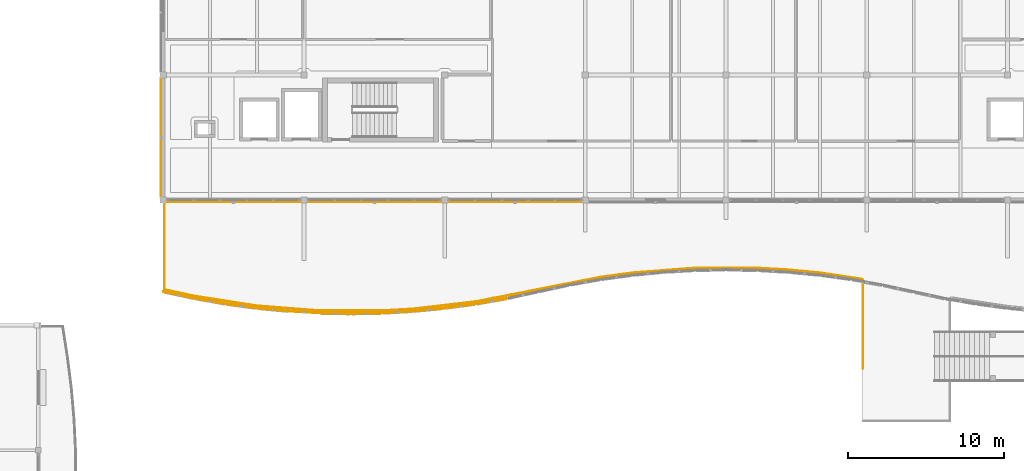
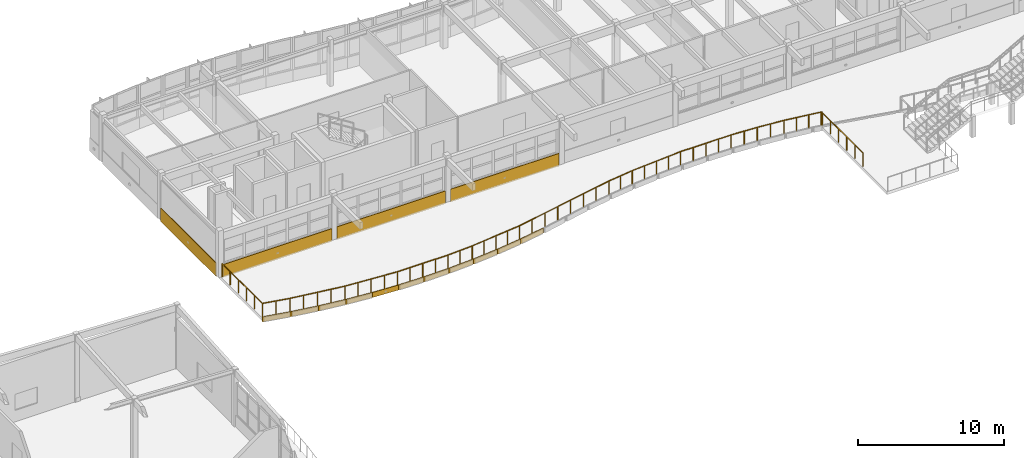
# One storey, part 44 of 52: 15 coverings, 1 railing.
"""IFC4 building model written with IfcOpenShell, lengths in metres."""

from ifc_helpers import new_model, si_unit, direction, frame, origin, origin_2d, place, context, subcontext, project, spatial, polyline, circle, outline, extrude, material, layer, layer_set, type_object, element, save


model = new_model("IFC4")

# Units and contexts
model_context = context("Model", 3, precision=1e-05, world=origin(), true_north=direction((0.0, 1.0)))
body_context = subcontext(model_context, "Body", "Model", "MODEL_VIEW")
ifc_project = project(units=[si_unit("LENGTHUNIT", "METRE"), si_unit("AREAUNIT", "SQUARE_METRE"), si_unit("VOLUMEUNIT", "CUBIC_METRE"), si_unit("PLANEANGLEUNIT", "RADIAN"), si_unit("MASSUNIT", "GRAM", prefix="KILO")], contexts=[model_context])

# Site, building, storey
site_placement = place(None, origin())
site = spatial("IfcSite", under=ifc_project, at=site_placement, CompositionType="ELEMENT")
building_placement = place(site_placement, origin())
building = spatial("IfcBuilding", under=site, at=building_placement, Name="Tonlespit Floodbar School", CompositionType="ELEMENT")
storey_placement = place(building_placement, frame((0.0, 0.0, 12.300048828125)))
storey = spatial("IfcBuildingStorey", under=building, at=storey_placement, Name="L03", CompositionType="ELEMENT", Elevation=12.300048828125)

# Railing
ifc_material_1 = material(Name="Galvanised Steel", Category="steel")
railing_type = type_object("IfcRailingType", Name="Balustrade_Ext_1150", PredefinedType="BALUSTRADE", material=ifc_material_1)
railing_placement = place(storey_placement, frame((88.76025390625, 93.239990234375, 0.0)))
element("IfcRailing", 1, at=railing_placement, inside=storey, type_object=railing_type, Name="L03 terrace balustrade 025", PredefinedType="BALUSTRADE", context=body_context, shape_type="SweptSolid", body=[
    extrude(circle(Radius=0.02392578125, at=origin_2d()), frame((0.0, 0.0, 1.1259765625), z_axis=(-4.3536941e-05, 0.999999999052, 0.0), x_axis=(-0.999999999052, -4.3536941e-05, 0.0)), (0.0, 0.0, 1.0), 5.607666015625),
    extrude(circle(Radius=0.02392578125, at=origin_2d()), frame((-0.000244140625, 5.607666015625, 1.1259765625), z_axis=(-0.432455380343, 0.901655335487, 0.0), x_axis=(-0.901655335487, -0.432455380343, 0.0)), (0.0, 0.0, 1.0), 0.08642578125),
    extrude(circle(Radius=0.02392578125, at=origin_2d()), frame((-0.03759765625, 5.685546875, 1.1259765625), z_axis=(-0.988771792785, 0.14943340253, 0.0), x_axis=(-0.14943340253, -0.988771792785, 0.0)), (0.0, 0.0, 1.0), 2.741455078125),
    extrude(circle(Radius=0.02392578125, at=origin_2d()), frame((-2.748291015625, 6.09521484375, 1.1259765625), z_axis=(-0.995353763305, 0.096285439579, 0.0), x_axis=(-0.096285439579, -0.995353763305, 0.0)), (0.0, 0.0, 1.0), 2.01318359375),
    extrude(circle(Radius=0.02392578125, at=origin_2d()), frame((-4.752197265625, 6.2890625, 1.1259765625), z_axis=(-0.998328079212, 0.057801784206, 0.0), x_axis=(-0.057801784206, -0.998328079212, 0.0)), (0.0, 0.0, 1.0), 2.00634765625),
    extrude(circle(Radius=0.02392578125, at=origin_2d()), frame((-6.755126953125, 6.405029296875, 1.1259765625), z_axis=(-1.0, 0.0, 0.0), x_axis=(0.0, -1.0, 0.0)), (0.0, 0.0, 1.0), 4.00439453125),
    extrude(circle(Radius=0.02392578125, at=origin_2d()), frame((-10.759521484375, 6.405029296875, 1.1259765625), z_axis=(-0.997037305385, -0.076919514236, 0.0), x_axis=(0.076919514236, -0.997037305385, 0.0)), (0.0, 0.0, 1.0), 4.018310546875),
    extrude(circle(Radius=0.02392578125, at=origin_2d()), frame((-14.765869140625, 6.095947265625, 1.1259765625), z_axis=(-0.990921736187, -0.134439996847, 0.0), x_axis=(0.134439996847, -0.990921736187, 0.0)), (0.0, 0.0, 1.0), 2.02294921875),
    extrude(circle(Radius=0.02392578125, at=origin_2d()), frame((-16.7705078125, 5.823974609375, 1.1259765625), z_axis=(-0.981305102365, -0.192458556766, 0.0), x_axis=(0.192458556766, -0.981305102365, 0.0)), (0.0, 0.0, 1.0), 8.154052734375),
    extrude(circle(Radius=0.02392578125, at=origin_2d()), frame((-24.772216796875, 4.254638671875, 1.1259765625), z_axis=(-0.993311267151, -0.115467426361, 0.0), x_axis=(0.115467426361, -0.993311267151, 0.0)), (0.0, 0.0, 1.0), 4.021484375),
    extrude(circle(Radius=0.02392578125, at=origin_2d()), frame((-28.766845703125, 3.790283203125, 1.1259765625), z_axis=(-0.99832952489, -0.05777680965, 0.0), x_axis=(0.05777680965, -0.99832952489, 0.0)), (0.0, 0.0, 1.0), 1.998779296875),
    extrude(circle(Radius=0.02392578125, at=origin_2d()), frame((-30.76220703125, 3.6748046875, 1.1259765625), z_axis=(-1.0, 0.0, 0.0), x_axis=(0.0, -1.0, 0.0)), (0.0, 0.0, 1.0), 3.99462890625),
    extrude(circle(Radius=0.02392578125, at=origin_2d()), frame((-34.7568359375, 3.6748046875, 1.1259765625), z_axis=(-0.997028256192, 0.077036720816, 0.0), x_axis=(-0.077036720816, -0.997028256192, 0.0)), (0.0, 0.0, 1.0), 4.005859375),
    extrude(circle(Radius=0.02392578125, at=origin_2d()), frame((-38.750732421875, 3.9833984375, 1.1259765625), z_axis=(-0.98808159042, 0.153931058182, 0.0), x_axis=(-0.153931058182, -0.98808159042, 0.0)), (0.0, 0.0, 1.0), 4.042724609375),
    extrude(circle(Radius=0.02392578125, at=origin_2d()), frame((-42.745361328125, 4.605712890625, 1.1259765625), z_axis=(-0.977365243724, 0.211558928813, 0.0), x_axis=(-0.211558928813, -0.977365243724, 0.0)), (0.0, 0.0, 1.0), 1.97900390625),
    extrude(circle(Radius=0.02392578125, at=origin_2d()), frame((-44.6796875, 5.0244140625, 1.1259765625), z_axis=(-4.4349831e-05, 0.999999999017, 0.0), x_axis=(-0.999999999017, -4.4349831e-05, 0.0)), (0.0, 0.0, 1.0), 5.5048828125),
    extrude(circle(Radius=0.02099609375, at=origin_2d()), origin(), (0.0, 0.0, 1.0), 1.101806640625),
    extrude(circle(Radius=0.02099609375, at=origin_2d()), frame((0.0, 1.12158203125, 0.0)), (0.0, 0.0, 1.0), 1.101806640625),
    extrude(circle(Radius=0.02099609375, at=origin_2d()), frame((0.0, 2.2431640625, 0.0)), (0.0, 0.0, 1.0), 1.101806640625),
    extrude(circle(Radius=0.02099609375, at=origin_2d()), frame((-0.000244140625, 3.364501953125, 0.0)), (0.0, 0.0, 1.0), 1.101806640625),
    extrude(circle(Radius=0.02099609375, at=origin_2d()), frame((-0.000244140625, 4.486083984375, 0.0)), (0.0, 0.0, 1.0), 1.101806640625),
    extrude(circle(Radius=0.02099609375, at=origin_2d()), frame((-0.000244140625, 5.607666015625, 0.0)), (0.0, 0.0, 1.0), 1.101806640625),
    extrude(circle(Radius=0.02099609375, at=origin_2d()), frame((-0.03759765625, 5.685546875, 0.0)), (0.0, 0.0, 1.0), 1.101806640625),
    extrude(circle(Radius=0.02099609375, at=origin_2d()), frame((-0.941162109375, 5.822021484375, 0.0)), (0.0, 0.0, 1.0), 1.101806640625),
    extrude(circle(Radius=0.02099609375, at=origin_2d()), frame((-1.8447265625, 5.958740234375, 0.0)), (0.0, 0.0, 1.0), 1.101806640625),
    extrude(circle(Radius=0.02099609375, at=origin_2d()), frame((-2.748291015625, 6.09521484375, 0.0)), (0.0, 0.0, 1.0), 1.101806640625),
    extrude(circle(Radius=0.02099609375, at=origin_2d()), frame((-3.750244140625, 6.192138671875, 0.0)), (0.0, 0.0, 1.0), 1.101806640625),
    extrude(circle(Radius=0.02099609375, at=origin_2d()), frame((-4.752197265625, 6.2890625, 0.0)), (0.0, 0.0, 1.0), 1.101806640625),
    extrude(circle(Radius=0.02099609375, at=origin_2d()), frame((-5.753662109375, 6.34716796875, 0.0)), (0.0, 0.0, 1.0), 1.101806640625),
    extrude(circle(Radius=0.02099609375, at=origin_2d()), frame((-6.755126953125, 6.405029296875, 0.0)), (0.0, 0.0, 1.0), 1.101806640625),
    extrude(circle(Radius=0.02099609375, at=origin_2d()), frame((-7.75634765625, 6.405029296875, 0.0)), (0.0, 0.0, 1.0), 1.101806640625),
    extrude(circle(Radius=0.02099609375, at=origin_2d()), frame((-8.75732421875, 6.405029296875, 0.0)), (0.0, 0.0, 1.0), 1.101806640625),
    extrude(circle(Radius=0.02099609375, at=origin_2d()), frame((-9.75830078125, 6.405029296875, 0.0)), (0.0, 0.0, 1.0), 1.101806640625),
    extrude(circle(Radius=0.02099609375, at=origin_2d()), frame((-10.759521484375, 6.405029296875, 0.0)), (0.0, 0.0, 1.0), 1.101806640625),
    extrude(circle(Radius=0.02099609375, at=origin_2d()), frame((-11.76123046875, 6.32763671875, 0.0)), (0.0, 0.0, 1.0), 1.101806640625),
    extrude(circle(Radius=0.02099609375, at=origin_2d()), frame((-12.7626953125, 6.25048828125, 0.0)), (0.0, 0.0, 1.0), 1.101806640625),
    extrude(circle(Radius=0.02099609375, at=origin_2d()), frame((-13.76416015625, 6.17333984375, 0.0)), (0.0, 0.0, 1.0), 1.101806640625),
    extrude(circle(Radius=0.02099609375, at=origin_2d()), frame((-14.765869140625, 6.095947265625, 0.0)), (0.0, 0.0, 1.0), 1.101806640625),
    extrude(circle(Radius=0.02099609375, at=origin_2d()), frame((-15.76806640625, 5.9599609375, 0.0)), (0.0, 0.0, 1.0), 1.101806640625),
    extrude(circle(Radius=0.02099609375, at=origin_2d()), frame((-16.7705078125, 5.823974609375, 0.0)), (0.0, 0.0, 1.0), 1.101806640625),
    extrude(circle(Radius=0.02099609375, at=origin_2d()), frame((-17.91357421875, 5.599853515625, 0.0)), (0.0, 0.0, 1.0), 1.101806640625),
    extrude(circle(Radius=0.02099609375, at=origin_2d()), frame((-19.056640625, 5.37548828125, 0.0)), (0.0, 0.0, 1.0), 1.101806640625),
    extrude(circle(Radius=0.02099609375, at=origin_2d()), frame((-20.19970703125, 5.1513671875, 0.0)), (0.0, 0.0, 1.0), 1.101806640625),
    extrude(circle(Radius=0.02099609375, at=origin_2d()), frame((-21.343017578125, 4.92724609375, 0.0)), (0.0, 0.0, 1.0), 1.101806640625),
    extrude(circle(Radius=0.02099609375, at=origin_2d()), frame((-22.486083984375, 4.703125, 0.0)), (0.0, 0.0, 1.0), 1.101806640625),
    extrude(circle(Radius=0.02099609375, at=origin_2d()), frame((-23.629150390625, 4.478759765625, 0.0)), (0.0, 0.0, 1.0), 1.101806640625),
    extrude(circle(Radius=0.02099609375, at=origin_2d()), frame((-24.772216796875, 4.254638671875, 0.0)), (0.0, 0.0, 1.0), 1.101806640625),
    extrude(circle(Radius=0.02099609375, at=origin_2d()), frame((-25.77099609375, 4.138671875, 0.0)), (0.0, 0.0, 1.0), 1.101806640625),
    extrude(circle(Radius=0.02099609375, at=origin_2d()), frame((-26.76953125, 4.0224609375, 0.0)), (0.0, 0.0, 1.0), 1.101806640625),
    extrude(circle(Radius=0.02099609375, at=origin_2d()), frame((-27.76806640625, 3.90625, 0.0)), (0.0, 0.0, 1.0), 1.101806640625),
    extrude(circle(Radius=0.02099609375, at=origin_2d()), frame((-28.766845703125, 3.790283203125, 0.0)), (0.0, 0.0, 1.0), 1.101806640625),
    extrude(circle(Radius=0.02099609375, at=origin_2d()), frame((-29.7646484375, 3.732421875, 0.0)), (0.0, 0.0, 1.0), 1.101806640625),
    extrude(circle(Radius=0.02099609375, at=origin_2d()), frame((-30.76220703125, 3.6748046875, 0.0)), (0.0, 0.0, 1.0), 1.101806640625),
    extrude(circle(Radius=0.02099609375, at=origin_2d()), frame((-31.7607421875, 3.6748046875, 0.0)), (0.0, 0.0, 1.0), 1.101806640625),
    extrude(circle(Radius=0.02099609375, at=origin_2d()), frame((-32.759521484375, 3.6748046875, 0.0)), (0.0, 0.0, 1.0), 1.101806640625),
    extrude(circle(Radius=0.02099609375, at=origin_2d()), frame((-33.75830078125, 3.6748046875, 0.0)), (0.0, 0.0, 1.0), 1.101806640625),
    extrude(circle(Radius=0.02099609375, at=origin_2d()), frame((-34.7568359375, 3.6748046875, 0.0)), (0.0, 0.0, 1.0), 1.101806640625),
    extrude(circle(Radius=0.02099609375, at=origin_2d()), frame((-35.75537109375, 3.751953125, 0.0)), (0.0, 0.0, 1.0), 1.101806640625),
    extrude(circle(Radius=0.02099609375, at=origin_2d()), frame((-36.75390625, 3.8291015625, 0.0)), (0.0, 0.0, 1.0), 1.101806640625),
    extrude(circle(Radius=0.02099609375, at=origin_2d()), frame((-37.752197265625, 3.90625, 0.0)), (0.0, 0.0, 1.0), 1.101806640625),
    extrude(circle(Radius=0.02099609375, at=origin_2d()), frame((-38.750732421875, 3.9833984375, 0.0)), (0.0, 0.0, 1.0), 1.101806640625),
    extrude(circle(Radius=0.02099609375, at=origin_2d()), frame((-39.74951171875, 4.138916015625, 0.0)), (0.0, 0.0, 1.0), 1.101806640625),
    extrude(circle(Radius=0.02099609375, at=origin_2d()), frame((-40.748046875, 4.29443359375, 0.0)), (0.0, 0.0, 1.0), 1.101806640625),
    extrude(circle(Radius=0.02099609375, at=origin_2d()), frame((-41.74658203125, 4.4501953125, 0.0)), (0.0, 0.0, 1.0), 1.101806640625),
    extrude(circle(Radius=0.02099609375, at=origin_2d()), frame((-42.745361328125, 4.605712890625, 0.0)), (0.0, 0.0, 1.0), 1.101806640625),
    extrude(circle(Radius=0.02099609375, at=origin_2d()), frame((-43.71240234375, 4.81494140625, 0.0)), (0.0, 0.0, 1.0), 1.101806640625),
    extrude(circle(Radius=0.02099609375, at=origin_2d()), frame((-44.6796875, 5.0244140625, 0.0)), (0.0, 0.0, 1.0), 1.101806640625),
    extrude(circle(Radius=0.02099609375, at=origin_2d()), frame((-44.6796875, 6.12548828125, 0.0)), (0.0, 0.0, 1.0), 1.101806640625),
    extrude(circle(Radius=0.02099609375, at=origin_2d()), frame((-44.6796875, 7.226318359375, 0.0)), (0.0, 0.0, 1.0), 1.101806640625),
    extrude(circle(Radius=0.02099609375, at=origin_2d()), frame((-44.679931640625, 8.327392578125, 0.0)), (0.0, 0.0, 1.0), 1.101806640625),
    extrude(circle(Radius=0.02099609375, at=origin_2d()), frame((-44.679931640625, 9.42822265625, 0.0)), (0.0, 0.0, 1.0), 1.101806640625),
    extrude(circle(Radius=0.02099609375, at=origin_2d()), frame((-44.679931640625, 10.529296875, 0.0)), (0.0, 0.0, 1.0), 1.101806640625),
])

# Coverings
ifc_material_2 = material(Name="White Architectural Aluminium", Category="aluminium")
ifc_layer = layer(ifc_material_2, 0.050048828125)
ifc_layer_set = layer_set([ifc_layer], Name="White Architectural Aluminium")
covering_type = type_object("IfcCoveringType", Name="Cladding_WhiteBand_50", PredefinedType="CLADDING", material=ifc_layer_set)
covering_1_placement = place(storey_placement, frame((0.0, 0.0, -0.1201171875)))
element("IfcCovering", 2, at=covering_1_placement, inside=storey, type_object=covering_type, Name="L03 curved white spandrel cladding 0255", PredefinedType="CLADDING", context=body_context, shape_type="SweptSolid", body=[
    extrude(outline(polyline([(70.800048828125, 103.89990234375), (62.199951171875, 103.89990234375), (62.199951171875, 103.85009765625), (70.800048828125, 103.85009765625), (70.800048828125, 103.89990234375)])), origin(), (0.0, 0.0, 1.0), 1.070068359375),
])
covering_2_placement = place(storey_placement, frame((0.0, 0.0, -0.1201171875)))
element("IfcCovering", 3, at=covering_2_placement, inside=storey, type_object=covering_type, Name="L03 curved white spandrel cladding 0256", PredefinedType="CLADDING", context=body_context, shape_type="SweptSolid", body=[
    extrude(outline(polyline([(61.800048828125, 103.89990234375), (53.199951171875, 103.89990234375), (53.199951171875, 103.85009765625), (61.800048828125, 103.85009765625), (61.800048828125, 103.89990234375)])), origin(), (0.0, 0.0, 1.0), 1.070068359375),
])
covering_3_placement = place(storey_placement, frame((0.0, 0.0, -0.1201171875)))
element("IfcCovering", 4, at=covering_3_placement, inside=storey, type_object=covering_type, Name="L03 curved white spandrel cladding 0257", PredefinedType="CLADDING", context=body_context, shape_type="SweptSolid", body=[
    extrude(outline(polyline([(52.800048828125, 103.89990234375), (44.199951171875, 103.89990234375), (44.199951171875, 103.85009765625), (52.800048828125, 103.85009765625), (52.800048828125, 103.89990234375)])), origin(), (0.0, 0.0, 1.0), 1.070068359375),
])
covering_4_placement = place(storey_placement, frame((0.0, 0.0, -0.1201171875)))
element("IfcCovering", 5, at=covering_4_placement, inside=storey, type_object=covering_type, Name="L03 curved white spandrel cladding 0258", PredefinedType="CLADDING", context=body_context, shape_type="SweptSolid", body=[
    extrude(outline(polyline([(43.8798828125, 104.199951171875), (43.8798828125, 111.800048828125), (43.830078125, 111.800048828125), (43.830078125, 104.199951171875), (43.8798828125, 104.199951171875)])), origin(), (0.0, 0.0, 1.0), 1.1201171875),
])
covering_5_placement = place(storey_placement, frame((0.0, 0.0, -0.300048828125)))
element("IfcCovering", 6, at=covering_5_placement, inside=storey, type_object=covering_type, Name="L03 curved white spandrel cladding 0261", PredefinedType="CLADDING", context=body_context, shape_type="SweptSolid", body=[
    extrude(outline(polyline([(44.0, 98.159912109375), (46.0, 97.72705078125), (46.0, 97.677001953125), (44.0, 98.110107421875), (44.0, 98.159912109375)])), origin(), (0.0, 0.0, 1.0), 0.419921875),
])
covering_6_placement = place(storey_placement, frame((0.0, 0.0, -0.300048828125)))
element("IfcCovering", 7, at=covering_6_placement, inside=storey, type_object=covering_type, Name="L03 curved white spandrel cladding 0262", PredefinedType="CLADDING", context=body_context, shape_type="SweptSolid", body=[
    extrude(outline(polyline([(46.0, 97.72705078125), (48.0, 97.37548828125), (48.0, 97.325439453125), (46.0, 97.677001953125), (46.0, 97.72705078125)])), origin(), (0.0, 0.0, 1.0), 0.419921875),
])
covering_7_placement = place(storey_placement, frame((0.0, 0.0, -0.300048828125)))
element("IfcCovering", 8, at=covering_7_placement, inside=storey, type_object=covering_type, Name="L03 curved white spandrel cladding 0263", PredefinedType="CLADDING", context=body_context, shape_type="SweptSolid", body=[
    extrude(outline(polyline([(48.0, 97.37548828125), (50.0, 97.103759765625), (50.0, 97.0537109375), (48.0, 97.325439453125), (48.0, 97.37548828125)])), origin(), (0.0, 0.0, 1.0), 0.419921875),
])
covering_8_placement = place(storey_placement, frame((0.0, 0.0, -0.300048828125)))
element("IfcCovering", 9, at=covering_8_placement, inside=storey, type_object=covering_type, Name="L03 curved white spandrel cladding 0264", PredefinedType="CLADDING", context=body_context, shape_type="SweptSolid", body=[
    extrude(outline(polyline([(50.0, 97.103759765625), (52.0, 96.910400390625), (52.0, 96.860595703125), (50.0, 97.0537109375), (50.0, 97.103759765625)])), origin(), (0.0, 0.0, 1.0), 0.419921875),
])
covering_9_placement = place(storey_placement, frame((0.0, 0.0, -0.300048828125)))
element("IfcCovering", 10, at=covering_9_placement, inside=storey, type_object=covering_type, Name="L03 curved white spandrel cladding 0265", PredefinedType="CLADDING", context=body_context, shape_type="SweptSolid", body=[
    extrude(outline(polyline([(52.0, 96.910400390625), (54.0, 96.794921875), (54.0, 96.744873046875), (52.0, 96.860595703125), (52.0, 96.910400390625)])), origin(), (0.0, 0.0, 1.0), 0.419921875),
])
covering_10_placement = place(storey_placement, frame((0.0, 0.0, -0.300048828125)))
element("IfcCovering", 11, at=covering_10_placement, inside=storey, type_object=covering_type, Name="L03 curved white spandrel cladding 0266", PredefinedType="CLADDING", context=body_context, shape_type="SweptSolid", body=[
    extrude(outline(polyline([(54.0, 96.794921875), (56.0, 96.75634765625), (56.0, 96.706298828125), (54.0, 96.744873046875), (54.0, 96.794921875)])), origin(), (0.0, 0.0, 1.0), 0.419921875),
])
covering_11_placement = place(storey_placement, frame((0.0, 0.0, -0.300048828125)))
element("IfcCovering", 12, at=covering_11_placement, inside=storey, type_object=covering_type, Name="L03 curved white spandrel cladding 0267", PredefinedType="CLADDING", context=body_context, shape_type="SweptSolid", body=[
    extrude(outline(polyline([(56.0, 96.75634765625), (58.0, 96.794921875), (58.0, 96.744873046875), (56.0, 96.706298828125), (56.0, 96.75634765625)])), origin(), (0.0, 0.0, 1.0), 0.419921875),
])
covering_12_placement = place(storey_placement, frame((0.0, 0.0, -0.300048828125)))
element("IfcCovering", 13, at=covering_12_placement, inside=storey, type_object=covering_type, Name="L03 curved white spandrel cladding 0268", PredefinedType="CLADDING", context=body_context, shape_type="SweptSolid", body=[
    extrude(outline(polyline([(58.0, 96.794921875), (60.0, 96.910400390625), (60.0, 96.860595703125), (58.0, 96.744873046875), (58.0, 96.794921875)])), origin(), (0.0, 0.0, 1.0), 0.419921875),
])
covering_13_placement = place(storey_placement, frame((0.0, 0.0, -0.300048828125)))
element("IfcCovering", 14, at=covering_13_placement, inside=storey, type_object=covering_type, Name="L03 curved white spandrel cladding 0269", PredefinedType="CLADDING", context=body_context, shape_type="SweptSolid", body=[
    extrude(outline(polyline([(60.0, 96.910400390625), (62.0, 97.103759765625), (62.0, 97.0537109375), (60.0, 96.860595703125), (60.0, 96.910400390625)])), origin(), (0.0, 0.0, 1.0), 0.419921875),
])
covering_14_placement = place(storey_placement, frame((0.0, 0.0, -0.300048828125)))
element("IfcCovering", 15, at=covering_14_placement, inside=storey, type_object=covering_type, Name="L03 curved white spandrel cladding 0270", PredefinedType="CLADDING", context=body_context, shape_type="SweptSolid", body=[
    extrude(outline(polyline([(62.0, 97.103759765625), (64.0, 97.37548828125), (64.0, 97.325439453125), (62.0, 97.0537109375), (62.0, 97.103759765625)])), origin(), (0.0, 0.0, 1.0), 0.419921875),
])
covering_15_placement = place(storey_placement, frame((0.0, 0.0, -0.300048828125)))
element("IfcCovering", 16, at=covering_15_placement, inside=storey, type_object=covering_type, Name="L03 curved white spandrel cladding 0271", PredefinedType="CLADDING", context=body_context, shape_type="SweptSolid", body=[
    extrude(outline(polyline([(64.0, 97.37548828125), (66.0, 97.72705078125), (66.0, 97.677001953125), (64.0, 97.325439453125), (64.0, 97.37548828125)])), origin(), (0.0, 0.0, 1.0), 0.419921875),
])

save(model, "model.ifc")
